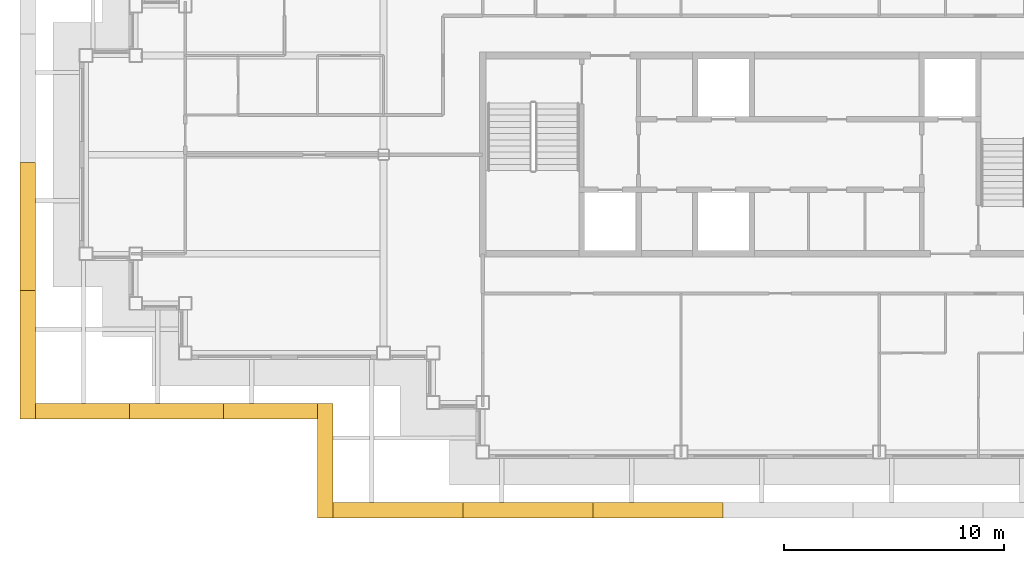
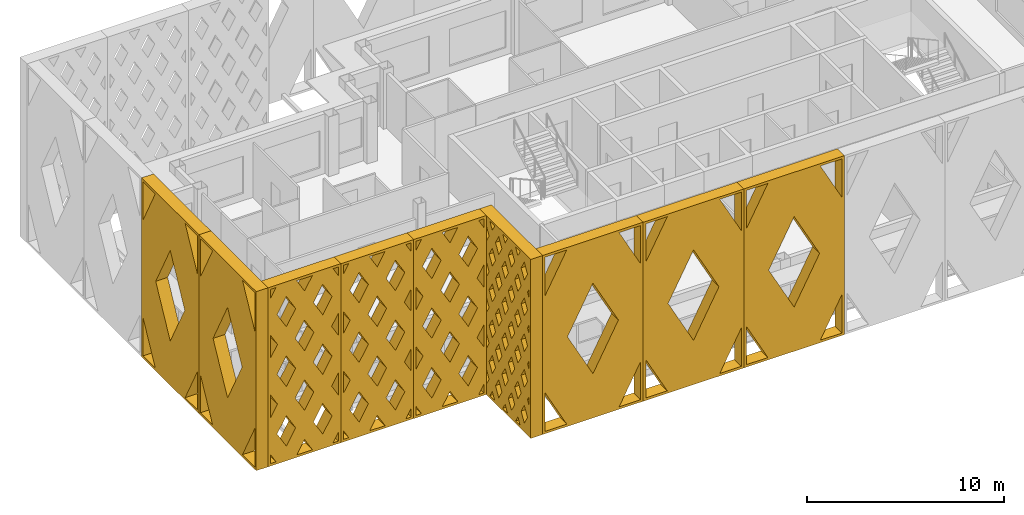
# One storey, part 9 of 13: 9 shading devices.
"""IFC4 building model written with IfcOpenShell, lengths in metres."""

from ifc_helpers import new_model, si_unit, direction, frame, origin, place, context, subcontext, project, spatial, polyline, outline, extrude, material, type_object, element, save


model = new_model("IFC4")

# Units and contexts
model_context = context("Model", 3, precision=1e-05, world=origin(), true_north=direction((0.0, 1.0)))
body_context = subcontext(model_context, "Body", "Model", "MODEL_VIEW")
ifc_project = project(units=[si_unit("LENGTHUNIT", "METRE"), si_unit("AREAUNIT", "SQUARE_METRE"), si_unit("VOLUMEUNIT", "CUBIC_METRE"), si_unit("PLANEANGLEUNIT", "RADIAN"), si_unit("MASSUNIT", "GRAM", prefix="KILO")], contexts=[model_context])

# Site, building, storey
site_placement = place(None, origin())
site = spatial("IfcSite", under=ifc_project, at=site_placement, CompositionType="ELEMENT")
building_placement = place(site_placement, origin())
building = spatial("IfcBuilding", under=site, at=building_placement, Name="Caravel Reach Hotel and Residences", CompositionType="ELEMENT")
storey_placement = place(building_placement, frame((0.0, 0.0, 267.5)))
storey = spatial("IfcBuildingStorey", under=building, at=storey_placement, Name="L68", CompositionType="ELEMENT", Elevation=267.5)

# Shading devices
ifc_material_1 = material(Name="Black powder-coated aluminium", Category="aluminium")
shading_device_type_1 = type_object("IfcShadingDeviceType", Name="Diamond lattice screen panel 4267 x 11100", PredefinedType="USERDEFINED", material=ifc_material_1)
shading_device_1_placement = place(storey_placement, frame((-2.300048828125, 15.699951171875, 0.0), z_axis=(0.0, -1.0, 0.0), x_axis=(1.0, 0.0, 0.0)))
element("IfcShadingDevice", 1, at=shading_device_1_placement, inside=storey, type_object=shading_device_type_1, Name="Lattice screen L68-L70 1.1", ObjectType="SCREEN", PredefinedType="USERDEFINED", context=body_context, shape_type="SweptSolid", body=[
    extrude(outline(polyline([(0.0, 0.0), (4.2666015625, 0.0), (4.2666015625, 11.10009765625), (0.0, 11.10009765625), (0.0, 0.0)]), holes=[polyline([(0.45947265625, 0.14990234375), (0.14990234375, 0.6865234375), (0.14990234375, 0.14990234375), (0.45947265625, 0.14990234375)]), polyline([(0.5458984375, 3.699951171875), (0.14990234375, 4.386474609375), (0.14990234375, 3.013427734375), (0.5458984375, 3.699951171875)]), polyline([(0.5458984375, 7.39990234375), (0.14990234375, 8.086669921875), (0.14990234375, 6.71337890625), (0.5458984375, 7.39990234375)]), polyline([(0.14990234375, 10.413330078125), (0.45947265625, 10.949951171875), (0.14990234375, 10.949951171875), (0.14990234375, 10.413330078125)]), polyline([(1.066650390625, 2.796630859375), (0.520751953125, 1.85009765625), (1.066650390625, 0.9033203125), (1.612548828125, 1.85009765625), (1.066650390625, 2.796630859375)]), polyline([(1.066650390625, 6.496826171875), (0.520751953125, 5.550048828125), (1.066650390625, 4.603271484375), (1.612548828125, 5.550048828125), (1.066650390625, 6.496826171875)]), polyline([(1.066650390625, 10.19677734375), (0.520751953125, 9.25), (1.066650390625, 8.30322265625), (1.612548828125, 9.25), (1.066650390625, 10.19677734375)]), polyline([(2.13330078125, 0.94677734375), (1.674072265625, 0.14990234375), (2.5927734375, 0.14990234375), (2.13330078125, 0.94677734375)]), polyline([(2.13330078125, 4.646728515625), (1.58740234375, 3.699951171875), (2.13330078125, 2.753173828125), (2.67919921875, 3.699951171875), (2.13330078125, 4.646728515625)]), polyline([(2.13330078125, 8.3466796875), (1.58740234375, 7.39990234375), (2.13330078125, 6.453369140625), (2.67919921875, 7.39990234375), (2.13330078125, 8.3466796875)]), polyline([(2.13330078125, 10.1533203125), (2.5927734375, 10.949951171875), (1.674072265625, 10.949951171875), (2.13330078125, 10.1533203125)]), polyline([(3.199951171875, 2.796630859375), (2.654052734375, 1.85009765625), (3.199951171875, 0.9033203125), (3.745849609375, 1.85009765625), (3.199951171875, 2.796630859375)]), polyline([(3.199951171875, 6.496826171875), (2.654052734375, 5.550048828125), (3.199951171875, 4.603271484375), (3.745849609375, 5.550048828125), (3.199951171875, 6.496826171875)]), polyline([(3.199951171875, 10.19677734375), (2.654052734375, 9.25), (3.199951171875, 8.30322265625), (3.745849609375, 9.25), (3.199951171875, 10.19677734375)]), polyline([(4.11669921875, 0.6865234375), (3.807373046875, 0.14990234375), (4.11669921875, 0.14990234375), (4.11669921875, 0.6865234375)]), polyline([(3.720703125, 3.699951171875), (4.11669921875, 3.013427734375), (4.11669921875, 4.386474609375), (3.720703125, 3.699951171875)]), polyline([(3.720703125, 7.39990234375), (4.11669921875, 6.71337890625), (4.11669921875, 8.086669921875), (3.720703125, 7.39990234375)]), polyline([(3.807373046875, 10.949951171875), (4.11669921875, 10.413330078125), (4.11669921875, 10.949951171875), (3.807373046875, 10.949951171875)])]), origin(), (0.0, 0.0, 1.0), 0.699951171875),
])
shading_device_2_placement = place(storey_placement, frame((1.966552734375, 15.699951171875, 0.0), z_axis=(0.0, -1.0, 0.0), x_axis=(1.0, 0.0, 0.0)))
element("IfcShadingDevice", 2, at=shading_device_2_placement, inside=storey, type_object=shading_device_type_1, Name="Lattice screen L68-L70 1.2", ObjectType="SCREEN", PredefinedType="USERDEFINED", context=body_context, shape_type="SweptSolid", body=[
    extrude(outline(polyline([(0.0, 0.0), (4.2666015625, 0.0), (4.2666015625, 11.10009765625), (0.0, 11.10009765625), (0.0, 0.0)]), holes=[polyline([(0.45947265625, 0.14990234375), (0.14990234375, 0.6865234375), (0.14990234375, 0.14990234375), (0.45947265625, 0.14990234375)]), polyline([(0.5458984375, 3.699951171875), (0.14990234375, 4.386474609375), (0.14990234375, 3.013427734375), (0.5458984375, 3.699951171875)]), polyline([(0.5458984375, 7.39990234375), (0.14990234375, 8.086669921875), (0.14990234375, 6.71337890625), (0.5458984375, 7.39990234375)]), polyline([(0.14990234375, 10.413330078125), (0.45947265625, 10.949951171875), (0.14990234375, 10.949951171875), (0.14990234375, 10.413330078125)]), polyline([(1.066650390625, 2.796630859375), (0.520751953125, 1.85009765625), (1.066650390625, 0.9033203125), (1.612548828125, 1.85009765625), (1.066650390625, 2.796630859375)]), polyline([(1.066650390625, 6.496826171875), (0.520751953125, 5.550048828125), (1.066650390625, 4.603271484375), (1.612548828125, 5.550048828125), (1.066650390625, 6.496826171875)]), polyline([(1.066650390625, 10.19677734375), (0.520751953125, 9.25), (1.066650390625, 8.30322265625), (1.612548828125, 9.25), (1.066650390625, 10.19677734375)]), polyline([(2.13330078125, 0.94677734375), (1.674072265625, 0.14990234375), (2.5927734375, 0.14990234375), (2.13330078125, 0.94677734375)]), polyline([(2.13330078125, 4.646728515625), (1.58740234375, 3.699951171875), (2.13330078125, 2.753173828125), (2.67919921875, 3.699951171875), (2.13330078125, 4.646728515625)]), polyline([(2.13330078125, 8.3466796875), (1.58740234375, 7.39990234375), (2.13330078125, 6.453369140625), (2.67919921875, 7.39990234375), (2.13330078125, 8.3466796875)]), polyline([(2.13330078125, 10.1533203125), (2.5927734375, 10.949951171875), (1.674072265625, 10.949951171875), (2.13330078125, 10.1533203125)]), polyline([(3.199951171875, 2.796630859375), (2.654052734375, 1.85009765625), (3.199951171875, 0.9033203125), (3.745849609375, 1.85009765625), (3.199951171875, 2.796630859375)]), polyline([(3.199951171875, 6.496826171875), (2.654052734375, 5.550048828125), (3.199951171875, 4.603271484375), (3.745849609375, 5.550048828125), (3.199951171875, 6.496826171875)]), polyline([(3.199951171875, 10.19677734375), (2.654052734375, 9.25), (3.199951171875, 8.30322265625), (3.745849609375, 9.25), (3.199951171875, 10.19677734375)]), polyline([(4.11669921875, 0.6865234375), (3.807373046875, 0.14990234375), (4.11669921875, 0.14990234375), (4.11669921875, 0.6865234375)]), polyline([(3.720703125, 3.699951171875), (4.11669921875, 3.013427734375), (4.11669921875, 4.386474609375), (3.720703125, 3.699951171875)]), polyline([(3.720703125, 7.39990234375), (4.11669921875, 6.71337890625), (4.11669921875, 8.086669921875), (3.720703125, 7.39990234375)]), polyline([(3.807373046875, 10.949951171875), (4.11669921875, 10.413330078125), (4.11669921875, 10.949951171875), (3.807373046875, 10.949951171875)])]), origin(), (0.0, 0.0, 1.0), 0.699951171875),
])
shading_device_3_placement = place(storey_placement, frame((6.2333984375, 15.699951171875, 0.0), z_axis=(0.0, -1.0, 0.0), x_axis=(1.0, 0.0, 0.0)))
element("IfcShadingDevice", 3, at=shading_device_3_placement, inside=storey, type_object=shading_device_type_1, Name="Lattice screen L68-L70 1.3", ObjectType="SCREEN", PredefinedType="USERDEFINED", context=body_context, shape_type="SweptSolid", body=[
    extrude(outline(polyline([(0.0, 0.0), (4.2666015625, 0.0), (4.2666015625, 11.10009765625), (0.0, 11.10009765625), (0.0, 0.0)]), holes=[polyline([(0.45947265625, 0.14990234375), (0.14990234375, 0.6865234375), (0.14990234375, 0.14990234375), (0.45947265625, 0.14990234375)]), polyline([(0.5458984375, 3.699951171875), (0.14990234375, 4.386474609375), (0.14990234375, 3.013427734375), (0.5458984375, 3.699951171875)]), polyline([(0.5458984375, 7.39990234375), (0.14990234375, 8.086669921875), (0.14990234375, 6.71337890625), (0.5458984375, 7.39990234375)]), polyline([(0.14990234375, 10.413330078125), (0.45947265625, 10.949951171875), (0.14990234375, 10.949951171875), (0.14990234375, 10.413330078125)]), polyline([(1.066650390625, 2.796630859375), (0.520751953125, 1.85009765625), (1.066650390625, 0.9033203125), (1.612548828125, 1.85009765625), (1.066650390625, 2.796630859375)]), polyline([(1.066650390625, 6.496826171875), (0.520751953125, 5.550048828125), (1.066650390625, 4.603271484375), (1.612548828125, 5.550048828125), (1.066650390625, 6.496826171875)]), polyline([(1.066650390625, 10.19677734375), (0.520751953125, 9.25), (1.066650390625, 8.30322265625), (1.612548828125, 9.25), (1.066650390625, 10.19677734375)]), polyline([(2.13330078125, 0.94677734375), (1.674072265625, 0.14990234375), (2.5927734375, 0.14990234375), (2.13330078125, 0.94677734375)]), polyline([(2.13330078125, 4.646728515625), (1.58740234375, 3.699951171875), (2.13330078125, 2.753173828125), (2.67919921875, 3.699951171875), (2.13330078125, 4.646728515625)]), polyline([(2.13330078125, 8.3466796875), (1.58740234375, 7.39990234375), (2.13330078125, 6.453369140625), (2.67919921875, 7.39990234375), (2.13330078125, 8.3466796875)]), polyline([(2.13330078125, 10.1533203125), (2.5927734375, 10.949951171875), (1.674072265625, 10.949951171875), (2.13330078125, 10.1533203125)]), polyline([(3.199951171875, 2.796630859375), (2.654052734375, 1.85009765625), (3.199951171875, 0.9033203125), (3.745849609375, 1.85009765625), (3.199951171875, 2.796630859375)]), polyline([(3.199951171875, 6.496826171875), (2.654052734375, 5.550048828125), (3.199951171875, 4.603271484375), (3.745849609375, 5.550048828125), (3.199951171875, 6.496826171875)]), polyline([(3.199951171875, 10.19677734375), (2.654052734375, 9.25), (3.199951171875, 8.30322265625), (3.745849609375, 9.25), (3.199951171875, 10.19677734375)]), polyline([(4.11669921875, 0.6865234375), (3.807373046875, 0.14990234375), (4.11669921875, 0.14990234375), (4.11669921875, 0.6865234375)]), polyline([(3.720703125, 3.699951171875), (4.11669921875, 3.013427734375), (4.11669921875, 4.386474609375), (3.720703125, 3.699951171875)]), polyline([(3.720703125, 7.39990234375), (4.11669921875, 6.71337890625), (4.11669921875, 8.086669921875), (3.720703125, 7.39990234375)]), polyline([(3.807373046875, 10.949951171875), (4.11669921875, 10.413330078125), (4.11669921875, 10.949951171875), (3.807373046875, 10.949951171875)])]), origin(), (0.0, 0.0, 1.0), 0.699951171875),
])
ifc_material_2 = material(Name="Black powder-coated aluminium", Category="aluminium")
shading_device_type_2 = type_object("IfcShadingDeviceType", Name="Diamond lattice screen panel 5200 x 11100", PredefinedType="USERDEFINED", material=ifc_material_2)
shading_device_4_placement = place(storey_placement, frame((11.199951171875, 15.699951171875, 0.0), z_axis=(-1.0, 0.0, 0.0), x_axis=(0.0, -1.0, 0.0)))
element("IfcShadingDevice", 4, at=shading_device_4_placement, inside=storey, type_object=shading_device_type_2, Name="Lattice screen L68-L70 2.1", ObjectType="SCREEN", PredefinedType="USERDEFINED", context=body_context, shape_type="SweptSolid", body=[
    extrude(outline(polyline([(0.0, 0.0), (5.199951171875, 0.0), (5.199951171875, 11.10009765625), (0.0, 11.10009765625), (0.0, 0.0)]), holes=[polyline([(0.326904296875, 2.219970703125), (0.14990234375, 2.522216796875), (0.14990234375, 1.917724609375), (0.326904296875, 2.219970703125)]), polyline([(0.326904296875, 4.43994140625), (0.14990234375, 4.7421875), (0.14990234375, 4.1376953125), (0.326904296875, 4.43994140625)]), polyline([(0.326904296875, 6.659912109375), (0.14990234375, 6.962158203125), (0.14990234375, 6.357666015625), (0.326904296875, 6.659912109375)]), polyline([(0.326904296875, 8.8798828125), (0.14990234375, 9.18212890625), (0.14990234375, 8.577880859375), (0.326904296875, 8.8798828125)]), polyline([(0.64990234375, 1.66845703125), (0.322998046875, 1.110107421875), (0.64990234375, 0.551513671875), (0.97705078125, 1.110107421875), (0.64990234375, 1.66845703125)]), polyline([(0.64990234375, 3.888427734375), (0.322998046875, 3.330078125), (0.64990234375, 2.771728515625), (0.97705078125, 3.330078125), (0.64990234375, 3.888427734375)]), polyline([(0.64990234375, 6.1083984375), (0.322998046875, 5.550048828125), (0.64990234375, 4.99169921875), (0.97705078125, 5.550048828125), (0.64990234375, 6.1083984375)]), polyline([(0.64990234375, 8.328369140625), (0.322998046875, 7.77001953125), (0.64990234375, 7.211669921875), (0.97705078125, 7.77001953125), (0.64990234375, 8.328369140625)]), polyline([(0.64990234375, 10.54833984375), (0.322998046875, 9.989990234375), (0.64990234375, 9.431640625), (0.97705078125, 9.989990234375), (0.64990234375, 10.54833984375)]), polyline([(1.300048828125, 0.558349609375), (1.060791015625, 0.14990234375), (1.5390625, 0.14990234375), (1.300048828125, 0.558349609375)]), polyline([(1.300048828125, 2.7783203125), (0.97314453125, 2.219970703125), (1.300048828125, 1.66162109375), (1.626953125, 2.219970703125), (1.300048828125, 2.7783203125)]), polyline([(1.300048828125, 4.998291015625), (0.97314453125, 4.43994140625), (1.300048828125, 3.881591796875), (1.626953125, 4.43994140625), (1.300048828125, 4.998291015625)]), polyline([(1.300048828125, 7.21826171875), (0.97314453125, 6.659912109375), (1.300048828125, 6.1015625), (1.626953125, 6.659912109375), (1.300048828125, 7.21826171875)]), polyline([(1.300048828125, 9.4384765625), (0.97314453125, 8.8798828125), (1.300048828125, 8.321533203125), (1.626953125, 8.8798828125), (1.300048828125, 9.4384765625)]), polyline([(1.300048828125, 10.541748046875), (1.5390625, 10.949951171875), (1.060791015625, 10.949951171875), (1.300048828125, 10.541748046875)]), polyline([(1.949951171875, 1.66845703125), (1.623046875, 1.110107421875), (1.949951171875, 0.551513671875), (2.27685546875, 1.110107421875), (1.949951171875, 1.66845703125)]), polyline([(1.949951171875, 3.888427734375), (1.623046875, 3.330078125), (1.949951171875, 2.771728515625), (2.27685546875, 3.330078125), (1.949951171875, 3.888427734375)]), polyline([(1.949951171875, 6.1083984375), (1.623046875, 5.550048828125), (1.949951171875, 4.99169921875), (2.27685546875, 5.550048828125), (1.949951171875, 6.1083984375)]), polyline([(1.949951171875, 8.328369140625), (1.623046875, 7.77001953125), (1.949951171875, 7.211669921875), (2.27685546875, 7.77001953125), (1.949951171875, 8.328369140625)]), polyline([(1.949951171875, 10.54833984375), (1.623046875, 9.989990234375), (1.949951171875, 9.431640625), (2.27685546875, 9.989990234375), (1.949951171875, 10.54833984375)]), polyline([(2.60009765625, 0.558349609375), (2.36083984375, 0.14990234375), (2.839111328125, 0.14990234375), (2.60009765625, 0.558349609375)]), polyline([(2.60009765625, 2.7783203125), (2.27294921875, 2.219970703125), (2.60009765625, 1.66162109375), (2.927001953125, 2.219970703125), (2.60009765625, 2.7783203125)]), polyline([(2.60009765625, 4.998291015625), (2.27294921875, 4.43994140625), (2.60009765625, 3.881591796875), (2.927001953125, 4.43994140625), (2.60009765625, 4.998291015625)]), polyline([(2.60009765625, 7.21826171875), (2.27294921875, 6.659912109375), (2.60009765625, 6.1015625), (2.927001953125, 6.659912109375), (2.60009765625, 7.21826171875)]), polyline([(2.60009765625, 9.4384765625), (2.27294921875, 8.8798828125), (2.60009765625, 8.321533203125), (2.927001953125, 8.8798828125), (2.60009765625, 9.4384765625)]), polyline([(2.60009765625, 10.541748046875), (2.839111328125, 10.949951171875), (2.36083984375, 10.949951171875), (2.60009765625, 10.541748046875)]), polyline([(3.25, 1.66845703125), (2.923095703125, 1.110107421875), (3.25, 0.551513671875), (3.576904296875, 1.110107421875), (3.25, 1.66845703125)]), polyline([(3.25, 3.888427734375), (2.923095703125, 3.330078125), (3.25, 2.771728515625), (3.576904296875, 3.330078125), (3.25, 3.888427734375)]), polyline([(3.25, 6.1083984375), (2.923095703125, 5.550048828125), (3.25, 4.99169921875), (3.576904296875, 5.550048828125), (3.25, 6.1083984375)]), polyline([(3.25, 8.328369140625), (2.923095703125, 7.77001953125), (3.25, 7.211669921875), (3.576904296875, 7.77001953125), (3.25, 8.328369140625)]), polyline([(3.25, 10.54833984375), (2.923095703125, 9.989990234375), (3.25, 9.431640625), (3.576904296875, 9.989990234375), (3.25, 10.54833984375)]), polyline([(3.89990234375, 0.558349609375), (3.660888671875, 0.14990234375), (4.13916015625, 0.14990234375), (3.89990234375, 0.558349609375)]), polyline([(3.89990234375, 2.7783203125), (3.572998046875, 2.219970703125), (3.89990234375, 1.66162109375), (4.22705078125, 2.219970703125), (3.89990234375, 2.7783203125)]), polyline([(3.89990234375, 4.998291015625), (3.572998046875, 4.43994140625), (3.89990234375, 3.881591796875), (4.22705078125, 4.43994140625), (3.89990234375, 4.998291015625)]), polyline([(3.89990234375, 7.21826171875), (3.572998046875, 6.659912109375), (3.89990234375, 6.1015625), (4.22705078125, 6.659912109375), (3.89990234375, 7.21826171875)]), polyline([(3.89990234375, 9.4384765625), (3.572998046875, 8.8798828125), (3.89990234375, 8.321533203125), (4.22705078125, 8.8798828125), (3.89990234375, 9.4384765625)]), polyline([(3.89990234375, 10.541748046875), (4.13916015625, 10.949951171875), (3.660888671875, 10.949951171875), (3.89990234375, 10.541748046875)]), polyline([(4.550048828125, 1.66845703125), (4.22314453125, 1.110107421875), (4.550048828125, 0.551513671875), (4.876953125, 1.110107421875), (4.550048828125, 1.66845703125)]), polyline([(4.550048828125, 3.888427734375), (4.22314453125, 3.330078125), (4.550048828125, 2.771728515625), (4.876953125, 3.330078125), (4.550048828125, 3.888427734375)]), polyline([(4.550048828125, 6.1083984375), (4.22314453125, 5.550048828125), (4.550048828125, 4.99169921875), (4.876953125, 5.550048828125), (4.550048828125, 6.1083984375)]), polyline([(4.550048828125, 8.328369140625), (4.22314453125, 7.77001953125), (4.550048828125, 7.211669921875), (4.876953125, 7.77001953125), (4.550048828125, 8.328369140625)]), polyline([(4.550048828125, 10.54833984375), (4.22314453125, 9.989990234375), (4.550048828125, 9.431640625), (4.876953125, 9.989990234375), (4.550048828125, 10.54833984375)]), polyline([(4.873046875, 2.219970703125), (5.050048828125, 1.917724609375), (5.050048828125, 2.522216796875), (4.873046875, 2.219970703125)]), polyline([(4.873046875, 4.43994140625), (5.050048828125, 4.1376953125), (5.050048828125, 4.7421875), (4.873046875, 4.43994140625)]), polyline([(4.873046875, 6.659912109375), (5.050048828125, 6.357666015625), (5.050048828125, 6.962158203125), (4.873046875, 6.659912109375)]), polyline([(4.873046875, 8.8798828125), (5.050048828125, 8.577880859375), (5.050048828125, 9.18212890625), (4.873046875, 8.8798828125)])]), origin(), (0.0, 0.0, 1.0), 0.699951171875),
])
ifc_material_3 = material(Name="Black powder-coated aluminium", Category="aluminium")
shading_device_type_3 = type_object("IfcShadingDeviceType", Name="Diamond lattice screen panel 5825 x 11100", PredefinedType="USERDEFINED", material=ifc_material_3)
for number, where, z_axis, x_axis, name in (
    (5, (-2.300048828125, 26.64990234375, 0.0), (-1.0, 0.0, 0.0), (0.0, -1.0, 0.0), "Lattice screen L68-L70 8.3"),
    (6, (-2.300048828125, 20.824951171875, 0.0), (-1.0, 0.0, 0.0), (0.0, -1.0, 0.0), "Lattice screen L68-L70 8.4"),
):
    element("IfcShadingDevice", number, at=place(storey_placement, frame(where, z_axis=z_axis, x_axis=x_axis)), inside=storey, type_object=shading_device_type_3, Name=name, ObjectType="SCREEN", PredefinedType="USERDEFINED", context=body_context, shape_type="SweptSolid", body=[
        extrude(outline(polyline([(0.0, 0.0), (5.824951171875, 0.0), (5.824951171875, 11.10009765625), (0.0, 11.10009765625), (0.0, 0.0)]), holes=[polyline([(1.39697265625, 0.14990234375), (0.14990234375, 2.526123046875), (0.14990234375, 0.14990234375), (1.39697265625, 0.14990234375)]), polyline([(0.14990234375, 8.573974609375), (1.39697265625, 10.949951171875), (0.14990234375, 10.949951171875), (0.14990234375, 8.573974609375)]), polyline([(2.91259765625, 8.362060546875), (1.436767578125, 5.550048828125), (2.91259765625, 2.738037109375), (4.38818359375, 5.550048828125), (2.91259765625, 8.362060546875)]), polyline([(5.675048828125, 2.526123046875), (4.427978515625, 0.14990234375), (5.675048828125, 0.14990234375), (5.675048828125, 2.526123046875)]), polyline([(4.427978515625, 10.949951171875), (5.675048828125, 8.573974609375), (5.675048828125, 10.949951171875), (4.427978515625, 10.949951171875)])]), origin(), (0.0, 0.0, 1.0), 0.699951171875),
    ])
ifc_material_4 = material(Name="Black powder-coated aluminium", Category="aluminium")
shading_device_type_4 = type_object("IfcShadingDeviceType", Name="Diamond lattice screen panel 5900 x 11100", PredefinedType="USERDEFINED", material=ifc_material_4)
for number, where, z_axis, x_axis, name in (
    (7, (11.199951171875, 11.199951171875, 0.0), (0.0, -1.0, 0.0), (1.0, 0.0, 0.0), "Lattice screen L68-L70 3.1"),
    (8, (17.10009765625, 11.199951171875, 0.0), (0.0, -1.0, 0.0), (1.0, 0.0, 0.0), "Lattice screen L68-L70 3.2"),
    (9, (23.0, 11.199951171875, 0.0), (0.0, -1.0, 0.0), (1.0, 0.0, 0.0), "Lattice screen L68-L70 3.3"),
):
    element("IfcShadingDevice", number, at=place(storey_placement, frame(where, z_axis=z_axis, x_axis=x_axis)), inside=storey, type_object=shading_device_type_4, Name=name, ObjectType="SCREEN", PredefinedType="USERDEFINED", context=body_context, shape_type="SweptSolid", body=[
        extrude(outline(polyline([(0.0, 0.0), (5.89990234375, 0.0), (5.89990234375, 11.10009765625), (0.0, 11.10009765625), (0.0, 0.0)]), holes=[polyline([(1.4140625, 0.14990234375), (0.14990234375, 2.528076171875), (0.14990234375, 0.14990234375), (1.4140625, 0.14990234375)]), polyline([(0.14990234375, 8.572021484375), (1.4140625, 10.949951171875), (0.14990234375, 10.949951171875), (0.14990234375, 8.572021484375)]), polyline([(2.949951171875, 8.3603515625), (1.456298828125, 5.550048828125), (2.949951171875, 2.73974609375), (4.44384765625, 5.550048828125), (2.949951171875, 8.3603515625)]), polyline([(5.75, 2.528076171875), (4.486083984375, 0.14990234375), (5.75, 0.14990234375), (5.75, 2.528076171875)]), polyline([(4.486083984375, 10.949951171875), (5.75, 8.572021484375), (5.75, 10.949951171875), (4.486083984375, 10.949951171875)])]), origin(), (0.0, 0.0, 1.0), 0.699951171875),
    ])

save(model, "model.ifc")
